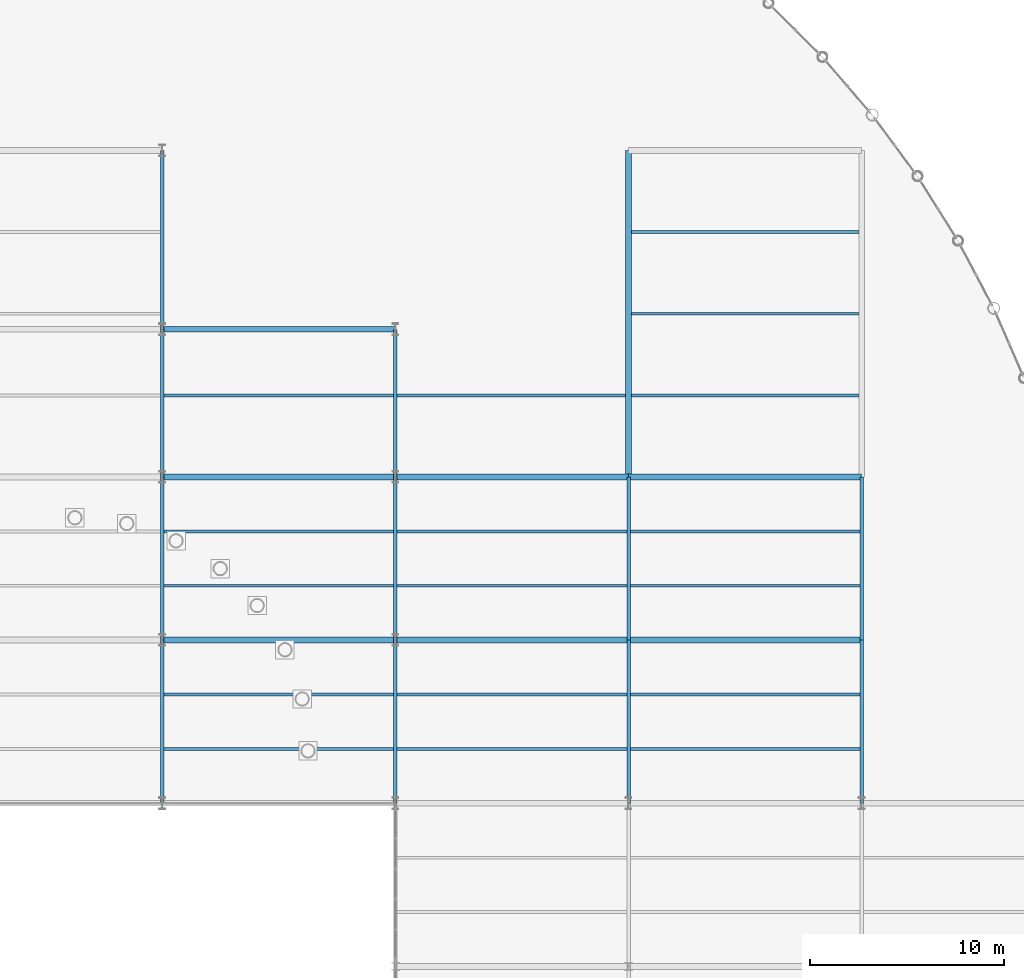
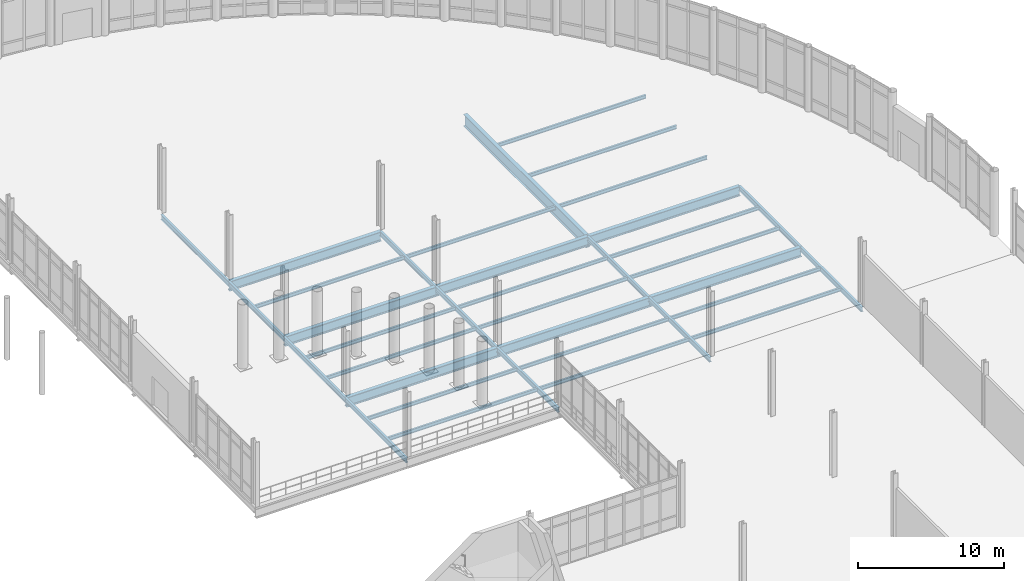
# One storey, part 71 of 111: 36 beams.
"""IFC4 building model written with IfcOpenShell, lengths in metres."""

from ifc_helpers import new_model, si_unit, direction, frame, origin, origin_2d, place, context, subcontext, project, spatial, i_section, extrude, material, material_profile, profile_set, type_object, element, save


model = new_model("IFC4")

# Units and contexts
model_context = context("Model", 3, precision=1e-05, world=origin(), true_north=direction((0.0, 1.0)))
body_context = subcontext(model_context, "Body", "Model", "MODEL_VIEW")
ifc_project = project(units=[si_unit("LENGTHUNIT", "METRE"), si_unit("AREAUNIT", "SQUARE_METRE"), si_unit("VOLUMEUNIT", "CUBIC_METRE"), si_unit("PLANEANGLEUNIT", "RADIAN"), si_unit("MASSUNIT", "GRAM", prefix="KILO"), si_unit("THERMODYNAMICTEMPERATUREUNIT", "KELVIN"), si_unit("POWERUNIT", "WATT")], contexts=[model_context])

# Site, building, storey
site_placement = place(None, origin())
site = spatial("IfcSite", under=ifc_project, at=site_placement, CompositionType="ELEMENT")
building_placement = place(site_placement, origin())
building = spatial("IfcBuilding", under=site, at=building_placement, Name="Tembeka Court Mobility Hub", CompositionType="ELEMENT")
storey_placement = place(building_placement, origin())
storey = spatial("IfcBuildingStorey", under=building, at=storey_placement, Name="L00", CompositionType="ELEMENT", Elevation=0.0)

# Beams
ifc_material = material(Name="Steel S355", Category="steel")
ifc_material_profile_1 = material_profile(ifc_material, i_section(OverallWidth=0.177978515625, OverallDepth=0.406005859375, WebThickness=0.0078125, FlangeThickness=0.0126953125, FilletRadius=0.01025390625, at=origin_2d()), Name="UKB 406x178x60")
ifc_profile_set_1 = profile_set([ifc_material_profile_1], Name="Steel S355")
beam_type_1 = type_object("IfcBeamType", Name="BM-B02", PredefinedType="BEAM", material=ifc_profile_set_1)
for number, where, z_axis, x_axis, name in (
    (1, (128.39990234375, 63.60009765625, -0.48291015625), (0.0, 1.0, 0.0), (-1.0, 0.0, 0.0), "Beam B02 (BM-L00-Y0288)"),
    (2, (128.39990234375, 72.0, -0.48291015625), (0.0, 1.0, 0.0), (-1.0, 0.0, 0.0), "Beam B02 (BM-L00-Y0289)"),
):
    element("IfcBeam", number, at=place(storey_placement, frame(where, z_axis=z_axis, x_axis=x_axis)), inside=storey, type_object=beam_type_1, Name=name, PredefinedType="BEAM", context=body_context, shape_type="SweptSolid", body=[
        extrude(i_section(OverallWidth=0.177978515625, OverallDepth=0.406005859375, WebThickness=0.0078125, FlangeThickness=0.0126953125, FilletRadius=0.01025390625, at=origin_2d()), origin(), (0.0, 0.0, 1.0), 8.39990234375),
    ])
beam_1_placement = place(storey_placement, frame((128.39990234375, 80.39990234375, -0.48291015625), z_axis=(0.0, 1.0, 0.0), x_axis=(-1.0, 0.0, 0.0)))
element("IfcBeam", 3, at=beam_1_placement, inside=storey, type_object=beam_type_1, Name="Beam B02 (BM-L00-Y0290)", PredefinedType="BEAM", context=body_context, shape_type="SweptSolid", body=[
    extrude(i_section(OverallWidth=0.177978515625, OverallDepth=0.406005859375, WebThickness=0.0078125, FlangeThickness=0.0126953125, FilletRadius=0.01025390625, at=origin_2d()), origin(), (0.0, 0.0, 1.0), 7.60009765625),
])
beam_2_placement = place(storey_placement, frame((128.39990234375, 88.0, -0.48291015625), z_axis=(0.0, 1.0, 0.0), x_axis=(-1.0, 0.0, 0.0)))
element("IfcBeam", 4, at=beam_2_placement, inside=storey, type_object=beam_type_1, Name="Beam B02 (BM-L00-Y0291)", PredefinedType="BEAM", context=body_context, shape_type="SweptSolid", body=[
    extrude(i_section(OverallWidth=0.177978515625, OverallDepth=0.406005859375, WebThickness=0.0078125, FlangeThickness=0.0126953125, FilletRadius=0.01025390625, at=origin_2d()), origin(), (0.0, 0.0, 1.0), 9.199951171875),
])
for number, where, z_axis, x_axis, name in (
    (5, (140.39990234375, 63.60009765625, -0.48291015625), (0.0, 1.0, 0.0), (-1.0, 0.0, 0.0), "Beam B02 (BM-L00-Y0298)"),
    (6, (140.39990234375, 72.0, -0.48291015625), (0.0, 1.0, 0.0), (-1.0, 0.0, 0.0), "Beam B02 (BM-L00-Y0299)"),
):
    element("IfcBeam", number, at=place(storey_placement, frame(where, z_axis=z_axis, x_axis=x_axis)), inside=storey, type_object=beam_type_1, Name=name, PredefinedType="BEAM", context=body_context, shape_type="SweptSolid", body=[
        extrude(i_section(OverallWidth=0.177978515625, OverallDepth=0.406005859375, WebThickness=0.0078125, FlangeThickness=0.0126953125, FilletRadius=0.01025390625, at=origin_2d()), origin(), (0.0, 0.0, 1.0), 8.39990234375),
    ])
beam_3_placement = place(storey_placement, frame((140.39990234375, 80.39990234375, -0.48291015625), z_axis=(0.0, 1.0, 0.0), x_axis=(-1.0, 0.0, 0.0)))
element("IfcBeam", 7, at=beam_3_placement, inside=storey, type_object=beam_type_1, Name="Beam B02 (BM-L00-Y0300)", PredefinedType="BEAM", context=body_context, shape_type="SweptSolid", body=[
    extrude(i_section(OverallWidth=0.177978515625, OverallDepth=0.406005859375, WebThickness=0.0078125, FlangeThickness=0.0126953125, FilletRadius=0.01025390625, at=origin_2d()), origin(), (0.0, 0.0, 1.0), 7.60009765625),
])
for number, where, z_axis, x_axis, name in (
    (8, (152.39990234375, 63.60009765625, -0.48291015625), (0.0, 1.0, 0.0), (-1.0, 0.0, 0.0), "Beam B02 (BM-L00-Y0307)"),
    (9, (152.39990234375, 72.0, -0.48291015625), (0.0, 1.0, 0.0), (-1.0, 0.0, 0.0), "Beam B02 (BM-L00-Y0308)"),
    (10, (164.39990234375, 63.60009765625, -0.48291015625), (0.0, 1.0, 0.0), (-1.0, 0.0, 0.0), "Beam B02 (BM-L00-Y0316)"),
    (11, (164.39990234375, 72.0, -0.48291015625), (0.0, 1.0, 0.0), (-1.0, 0.0, 0.0), "Beam B02 (BM-L00-Y0317)"),
):
    element("IfcBeam", number, at=place(storey_placement, frame(where, z_axis=z_axis, x_axis=x_axis)), inside=storey, type_object=beam_type_1, Name=name, PredefinedType="BEAM", context=body_context, shape_type="SweptSolid", body=[
        extrude(i_section(OverallWidth=0.177978515625, OverallDepth=0.406005859375, WebThickness=0.0078125, FlangeThickness=0.0126953125, FilletRadius=0.01025390625, at=origin_2d()), origin(), (0.0, 0.0, 1.0), 8.39990234375),
    ])
ifc_material_profile_2 = material_profile(ifc_material, i_section(OverallWidth=0.300048828125, OverallDepth=0.800048828125, WebThickness=0.017578125, FlangeThickness=0.034912109375, FilletRadius=0.030029296875, at=origin_2d()), Name="HEB 800")
ifc_profile_set_2 = profile_set([ifc_material_profile_2], Name="Steel S355")
beam_type_2 = type_object("IfcBeamType", Name="BM-G04", PredefinedType="USERDEFINED", material=ifc_profile_set_2)
for number, where, z_axis, x_axis, name in (
    (12, (128.39990234375, 72.0, -0.679931640625), (1.0, 0.0, 0.0), (0.0, 1.0, 0.0), "Beam G04 (BM-L00-X0117)"),
    (13, (140.39990234375, 72.0, -0.679931640625), (1.0, 0.0, 0.0), (0.0, 1.0, 0.0), "Beam G04 (BM-L00-X0118)"),
    (14, (152.39990234375, 72.0, -0.679931640625), (1.0, 0.0, 0.0), (0.0, 1.0, 0.0), "Beam G04 (BM-L00-X0119)"),
    (15, (128.39990234375, 80.39990234375, -0.679931640625), (1.0, 0.0, 0.0), (0.0, 1.0, 0.0), "Beam G04 (BM-L00-X0132)"),
    (16, (140.39990234375, 80.39990234375, -0.679931640625), (1.0, 0.0, 0.0), (0.0, 1.0, 0.0), "Beam G04 (BM-L00-X0133)"),
    (17, (152.39990234375, 80.39990234375, -0.679931640625), (1.0, 0.0, 0.0), (0.0, 1.0, 0.0), "Beam G04 (BM-L00-X0134)"),
    (18, (128.39990234375, 88.0, -0.679931640625), (1.0, 0.0, 0.0), (0.0, 1.0, 0.0), "Beam G04 (BM-L00-X0136)"),
):
    element("IfcBeam", number, at=place(storey_placement, frame(where, z_axis=z_axis, x_axis=x_axis)), inside=storey, type_object=beam_type_2, Name=name, ObjectType="GIRDER", PredefinedType="USERDEFINED", context=body_context, shape_type="SweptSolid", body=[
        extrude(i_section(OverallWidth=0.300048828125, OverallDepth=0.800048828125, WebThickness=0.017578125, FlangeThickness=0.034912109375, FilletRadius=0.030029296875, at=origin_2d()), origin(), (0.0, 0.0, 1.0), 12.0),
    ])
ifc_material_profile_3 = material_profile(ifc_material, i_section(OverallWidth=0.14990234375, OverallDepth=0.300048828125, WebThickness=0.007080078125, FlangeThickness=0.0107421875, FilletRadius=0.014892578125, at=origin_2d()), Name="IPE 300")
ifc_profile_set_3 = profile_set([ifc_material_profile_3], Name="Steel S355")
beam_type_3 = type_object("IfcBeamType", Name="BM-J04", PredefinedType="JOIST", material=ifc_profile_set_3)
for number, where, z_axis, x_axis, name in (
    (19, (128.48388671875, 66.39990234375, -0.429931640625), (1.0, 0.0, 0.0), (0.0, 1.0, 0.0), "Beam J04 (JST-L00-0547)"),
    (20, (128.48388671875, 69.199951171875, -0.429931640625), (1.0, 0.0, 0.0), (0.0, 1.0, 0.0), "Beam J04 (JST-L00-0548)"),
    (21, (128.48388671875, 74.800048828125, -0.429931640625), (1.0, 0.0, 0.0), (0.0, 1.0, 0.0), "Beam J04 (JST-L00-0549)"),
    (22, (128.48388671875, 77.60009765625, -0.429931640625), (1.0, 0.0, 0.0), (0.0, 1.0, 0.0), "Beam J04 (JST-L00-0550)"),
    (23, (128.48388671875, 84.60009765625, -0.429931640625), (1.0, 0.0, 0.0), (0.0, 1.0, 0.0), "Beam J04 (JST-L00-0551)"),
    (24, (140.48388671875, 66.39990234375, -0.429931640625), (1.0, 0.0, 0.0), (0.0, 1.0, 0.0), "Beam J04 (JST-L00-0566)"),
    (25, (140.48388671875, 69.199951171875, -0.429931640625), (1.0, 0.0, 0.0), (0.0, 1.0, 0.0), "Beam J04 (JST-L00-0567)"),
    (26, (140.48388671875, 74.800048828125, -0.429931640625), (1.0, 0.0, 0.0), (0.0, 1.0, 0.0), "Beam J04 (JST-L00-0568)"),
    (27, (140.48388671875, 77.60009765625, -0.429931640625), (1.0, 0.0, 0.0), (0.0, 1.0, 0.0), "Beam J04 (JST-L00-0569)"),
):
    element("IfcBeam", number, at=place(storey_placement, frame(where, z_axis=z_axis, x_axis=x_axis)), inside=storey, type_object=beam_type_3, Name=name, PredefinedType="JOIST", context=body_context, shape_type="SweptSolid", body=[
        extrude(i_section(OverallWidth=0.14990234375, OverallDepth=0.300048828125, WebThickness=0.007080078125, FlangeThickness=0.0107421875, FilletRadius=0.014892578125, at=origin_2d()), origin(), (0.0, 0.0, 1.0), 11.83203125),
    ])
beam_4_placement = place(storey_placement, frame((140.48388671875, 84.60009765625, -0.429931640625), z_axis=(1.0, 0.0, 0.0), x_axis=(0.0, 1.0, 0.0)))
element("IfcBeam", 28, at=beam_4_placement, inside=storey, type_object=beam_type_3, Name="Beam J04 (JST-L00-0570)", PredefinedType="JOIST", context=body_context, shape_type="SweptSolid", body=[
    extrude(i_section(OverallWidth=0.14990234375, OverallDepth=0.300048828125, WebThickness=0.007080078125, FlangeThickness=0.0107421875, FilletRadius=0.014892578125, at=origin_2d()), origin(), (0.0, 0.0, 1.0), 11.77099609375),
])
for number, where, z_axis, x_axis, name in (
    (29, (152.48388671875, 66.39990234375, -0.429931640625), (1.0, 0.0, 0.0), (0.0, 1.0, 0.0), "Beam J04 (JST-L00-0584)"),
    (30, (152.48388671875, 69.199951171875, -0.429931640625), (1.0, 0.0, 0.0), (0.0, 1.0, 0.0), "Beam J04 (JST-L00-0585)"),
    (31, (152.48388671875, 74.800048828125, -0.429931640625), (1.0, 0.0, 0.0), (0.0, 1.0, 0.0), "Beam J04 (JST-L00-0586)"),
    (32, (152.48388671875, 77.60009765625, -0.429931640625), (1.0, 0.0, 0.0), (0.0, 1.0, 0.0), "Beam J04 (JST-L00-0587)"),
):
    element("IfcBeam", number, at=place(storey_placement, frame(where, z_axis=z_axis, x_axis=x_axis)), inside=storey, type_object=beam_type_3, Name=name, PredefinedType="JOIST", context=body_context, shape_type="SweptSolid", body=[
        extrude(i_section(OverallWidth=0.14990234375, OverallDepth=0.300048828125, WebThickness=0.007080078125, FlangeThickness=0.0107421875, FilletRadius=0.014892578125, at=origin_2d()), origin(), (0.0, 0.0, 1.0), 11.83203125),
    ])
for number, where, z_axis, x_axis, name in (
    (33, (152.544921875, 84.60009765625, -0.429931640625), (1.0, 0.0, 0.0), (0.0, 1.0, 0.0), "Beam J04 (JST-L00-0588)"),
    (34, (152.544921875, 88.800048828125, -0.429931640625), (1.0, 0.0, 0.0), (0.0, 1.0, 0.0), "Beam J04 (JST-L00-0589)"),
    (35, (152.544921875, 93.0, -0.429931640625), (1.0, 0.0, 0.0), (0.0, 1.0, 0.0), "Beam J04 (JST-L00-0590)"),
):
    element("IfcBeam", number, at=place(storey_placement, frame(where, z_axis=z_axis, x_axis=x_axis)), inside=storey, type_object=beam_type_3, Name=name, PredefinedType="JOIST", context=body_context, shape_type="SweptSolid", body=[
        extrude(i_section(OverallWidth=0.14990234375, OverallDepth=0.300048828125, WebThickness=0.007080078125, FlangeThickness=0.0107421875, FilletRadius=0.014892578125, at=origin_2d()), origin(), (0.0, 0.0, 1.0), 11.7099609375),
    ])
ifc_material_profile_4 = material_profile(ifc_material, i_section(OverallWidth=0.300048828125, OverallDepth=1.0, WebThickness=0.01904296875, FlangeThickness=0.035888671875, FilletRadius=0.030029296875, at=origin_2d()), Name="HEB 1000")
ifc_profile_set_4 = profile_set([ifc_material_profile_4], Name="Steel S355")
beam_type_4 = type_object("IfcBeamType", Name="BM-TG01", PredefinedType="USERDEFINED", material=ifc_profile_set_4)
beam_5_placement = place(storey_placement, frame((152.39990234375, 80.39990234375, -0.780029296875), z_axis=(0.0, 1.0, 0.0), x_axis=(-1.0, 0.0, 0.0)))
element("IfcBeam", 36, at=beam_5_placement, inside=storey, type_object=beam_type_4, Name="Beam TG01 (BM-L00-Y0309)", ObjectType="GIRDER", PredefinedType="USERDEFINED", context=body_context, shape_type="SweptSolid", body=[
    extrude(i_section(OverallWidth=0.300048828125, OverallDepth=1.0, WebThickness=0.01904296875, FlangeThickness=0.035888671875, FilletRadius=0.030029296875, at=origin_2d()), origin(), (0.0, 0.0, 1.0), 16.800048828125),
])

save(model, "model.ifc")
